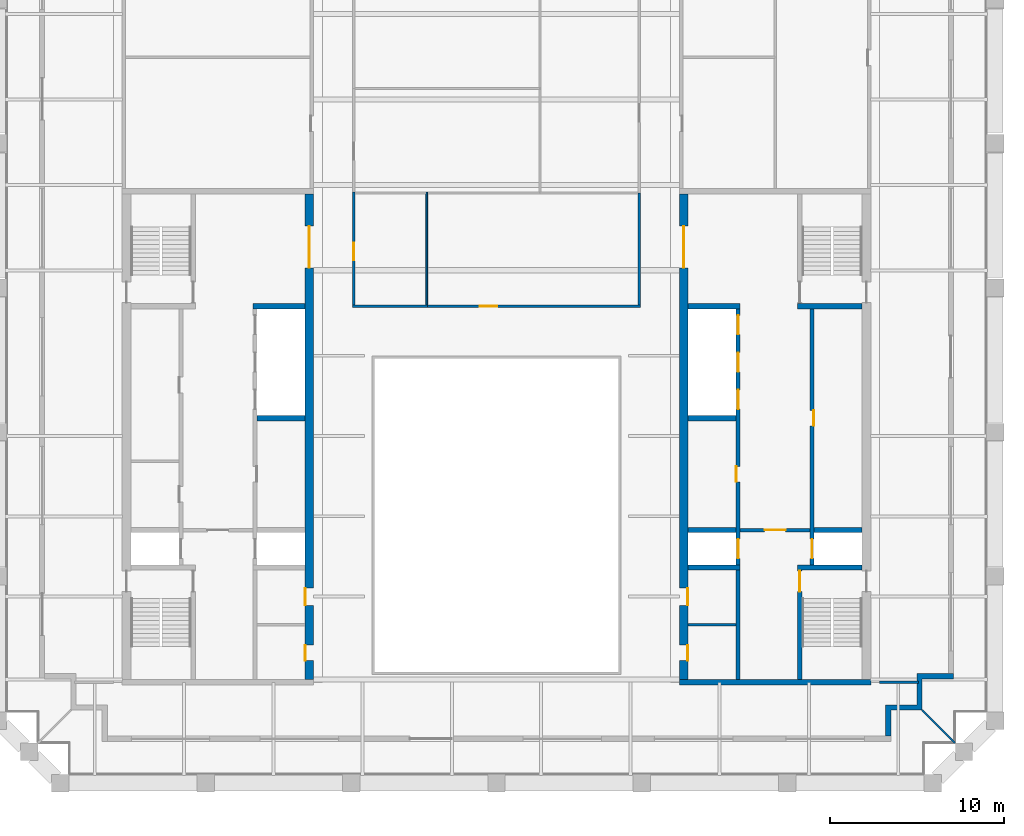
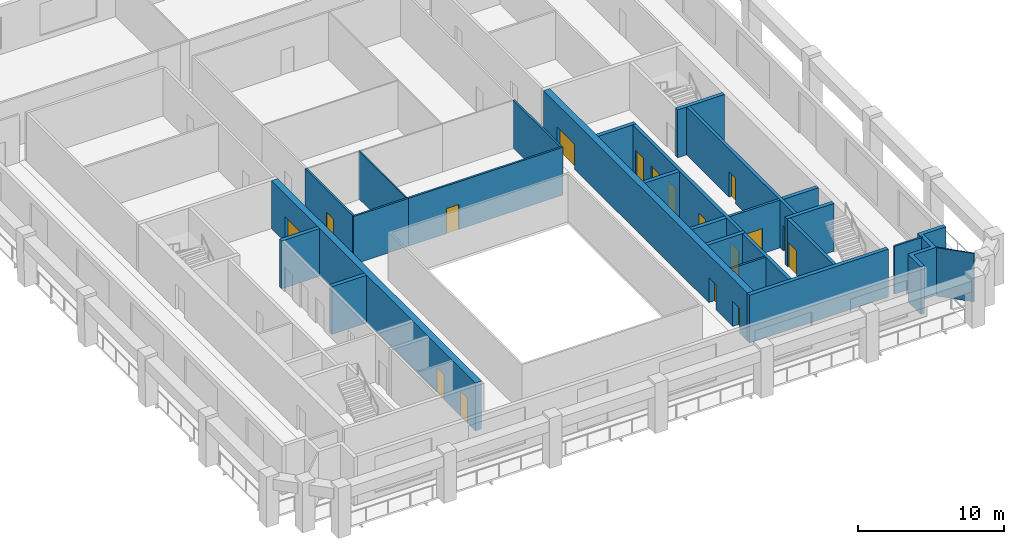
# One storey, part 4 of 8: 25 walls, 17 doors, 17 openings.
"""IFC4 building model written with IfcOpenShell, lengths in metres."""

from ifc_helpers import new_model, si_unit, direction, frame, frame_2d, origin, place, context, subcontext, project, spatial, polyline, rectangle, outline, extrude, material, layer, layer_set, type_object, element, fill, save


model = new_model("IFC4")

# Units and contexts
model_context = context("Model", 3, precision=1e-05, world=origin(), true_north=direction((0.0, 1.0)))
body_context = subcontext(model_context, "Body", "Model", "MODEL_VIEW")
ifc_project = project(units=[si_unit("LENGTHUNIT", "METRE"), si_unit("AREAUNIT", "SQUARE_METRE"), si_unit("VOLUMEUNIT", "CUBIC_METRE"), si_unit("PLANEANGLEUNIT", "RADIAN"), si_unit("MASSUNIT", "GRAM", prefix="KILO")], contexts=[model_context])

# Site, building, storey
site_placement = place(None, origin())
site = spatial("IfcSite", under=ifc_project, at=site_placement, CompositionType="ELEMENT")
building_placement = place(site_placement, origin())
building = spatial("IfcBuilding", under=site, at=building_placement, Name="Ogive Exchange Tower", CompositionType="ELEMENT")
storey_placement = place(building_placement, frame((0.0, 0.0, 317.39990234375)))
storey = spatial("IfcBuildingStorey", under=building, at=storey_placement, Name="L69", CompositionType="ELEMENT", Elevation=317.39990234375)

# Walls
ifc_material_1 = material(Name="Gypsum board partition")
ifc_layer_1 = layer(ifc_material_1, 0.14990234375)
ifc_layer_set_1 = layer_set([ifc_layer_1], Name="Core room partition 150 gypsum")
wall_type_1 = type_object("IfcWallType", Name="Core room partition 150 gypsum", PredefinedType="PARTITIONING", material=ifc_layer_set_1)
wall_1_placement = place(storey_placement, frame((11.0, 0.699951171875, 0.0), z_axis=(0.0, 0.0, 1.0), x_axis=(1.0, 0.0, 0.0)))
element("IfcWall", 1, at=wall_1_placement, inside=storey, type_object=wall_type_1, Name="E south room partition", PredefinedType="PARTITIONING", context=body_context, shape_type="SweptSolid", body=[
    extrude(rectangle(XDim=2.75, YDim=0.14990234375, at=frame_2d((1.375, 0.0))), origin(), (0.0, 0.0, 1.0), 4.0),
])
ifc_material_2 = material(Name="Fire partition EI 60 150")
ifc_layer_2 = layer(ifc_material_2, 0.14990234375)
ifc_layer_set_2 = layer_set([ifc_layer_2], Name="Fire partition EI 60 150")
wall_type_2 = type_object("IfcWallType", Name="Fire partition EI 60 150", PredefinedType="PARTITIONING", material=ifc_layer_set_2)
wall_2_placement = place(storey_placement, frame((-8.27490234375, 19.0, 0.0), z_axis=(0.0, 0.0, 1.0), x_axis=(1.0, 0.0, 0.0)))
element("IfcWall", 2, at=wall_2_placement, inside=storey, type_object=wall_type_2, Name="L69-PWL-005", PredefinedType="PARTITIONING", context=body_context, shape_type="SweptSolid", body=[
    extrude(rectangle(XDim=4.324951171875, YDim=0.14990234375, at=frame_2d((2.16259765625, 0.0))), origin(), (0.0, 0.0, 1.0), 4.0),
])

# Wall, opening, door
wall_3_placement = place(storey_placement, frame((-8.199951171875, 25.550048828125, 0.0), z_axis=(0.0, 0.0, 1.0), x_axis=(0.0, -1.0, 0.0)))
wall_3 = element("IfcWall", 3, at=wall_3_placement, inside=storey, type_object=wall_type_2, Name="L69-PWL-006", PredefinedType="PARTITIONING", context=body_context, shape_type="SweptSolid", body=[
    extrude(rectangle(XDim=6.47509765625, YDim=0.14990234375, at=frame_2d((3.237548828125, 0.0))), origin(), (0.0, 0.0, 1.0), 4.0),
])
opening_1_placement = place(wall_3_placement, frame((2.89990234375, 0.0, 0.0)))
opening_1 = element("IfcOpeningElement", 4, at=opening_1_placement, cuts=wall_3, Name="Opening L69-I09", PredefinedType="OPENING", context=body_context, shape_type="SweptSolid", body=[
    extrude(rectangle(XDim=1.0, YDim=2.10009765625, at=frame_2d((0.5, 1.050048828125))), frame((0.0, 0.0849609375, 0.0), z_axis=(0.0, -1.0, 0.0), x_axis=(1.0, 0.0, 0.0)), (0.0, 0.0, 1.0), 0.169921875),
])
ifc_material_3 = material(Name="Fire door FD 30S 1000 x 2100")
door_type_1 = type_object("IfcDoorType", Name="Fire door FD 30S 1000 x 2100", OperationType="NOTDEFINED", PredefinedType="DOOR", material=ifc_material_3)
door_1_placement = place(opening_1_placement, origin())
door_1 = element("IfcDoor", 5, at=door_1_placement, inside=storey, type_object=door_type_1, Name="L69-IDR-009", ObjectType="DT3", OperationType="SINGLE_SWING_LEFT", OverallHeight=2.10009765625, OverallWidth=1.0, PredefinedType="DOOR", context=body_context, shape_type="SweptSolid", body=[
    extrude(rectangle(XDim=1.0, YDim=2.10009765625, at=frame_2d((0.5, 1.050048828125))), frame((0.0, 0.02490234375, 0.0), z_axis=(0.0, -1.0, 0.0), x_axis=(1.0, 0.0, 0.0)), (0.0, 0.0, 1.0), 0.050048828125),
])
fill(opening_1, door_1)

wall_4_placement = place(storey_placement, frame((-4.0, 19.0, 0.0), z_axis=(0.0, 0.0, 1.0), x_axis=(1.0, 0.0, 0.0)))
wall_4 = element("IfcWall", 6, at=wall_4_placement, inside=storey, type_object=wall_type_2, Name="L69-PWL-014", PredefinedType="PARTITIONING", context=body_context, shape_type="SweptSolid", body=[
    extrude(rectangle(XDim=12.27490234375, YDim=0.14990234375, at=frame_2d((6.137451171875, 0.0))), origin(), (0.0, 0.0, 1.0), 4.0),
])
opening_2_placement = place(wall_4_placement, frame((3.050048828125, 0.0, 0.0)))
opening_2 = element("IfcOpeningElement", 7, at=opening_2_placement, cuts=wall_4, Name="Opening L69-I08", PredefinedType="OPENING", context=body_context, shape_type="SweptSolid", body=[
    extrude(rectangle(XDim=1.0, YDim=2.10009765625, at=frame_2d((0.5, 1.050048828125))), frame((0.0, 0.0849609375, 0.0), z_axis=(0.0, -1.0, 0.0), x_axis=(1.0, 0.0, 0.0)), (0.0, 0.0, 1.0), 0.169921875),
])
door_2_placement = place(opening_2_placement, origin())
door_2 = element("IfcDoor", 8, at=door_2_placement, inside=storey, type_object=door_type_1, Name="L69-IDR-008", ObjectType="DT3", OperationType="SINGLE_SWING_RIGHT", OverallHeight=2.10009765625, OverallWidth=1.0, PredefinedType="DOOR", context=body_context, shape_type="SweptSolid", body=[
    extrude(rectangle(XDim=1.0, YDim=2.10009765625, at=frame_2d((0.5, 1.050048828125))), frame((0.0, 0.02490234375, 0.0), z_axis=(0.0, -1.0, 0.0), x_axis=(1.0, 0.0, 0.0)), (0.0, 0.0, 1.0), 0.050048828125),
])
fill(opening_2, door_2)

# Walls
wall_5_placement = place(storey_placement, frame((8.199951171875, 19.074951171875, 0.0), z_axis=(0.0, 0.0, 1.0), x_axis=(0.0, 1.0, 0.0)))
element("IfcWall", 9, at=wall_5_placement, inside=storey, type_object=wall_type_2, Name="L69-PWL-022", PredefinedType="PARTITIONING", context=body_context, shape_type="SweptSolid", body=[
    extrude(rectangle(XDim=6.425048828125, YDim=0.14990234375, at=frame_2d((3.21240234375, 0.0))), origin(), (0.0, 0.0, 1.0), 4.0),
])
wall_6_placement = place(storey_placement, frame((22.0, -2.60009765625, 0.0), z_axis=(0.0, 0.0, 1.0), x_axis=(1.0, 0.0, 0.0)))
element("IfcWall", 10, at=wall_6_placement, inside=storey, type_object=wall_type_2, Name="L69-PWL-026", PredefinedType="PARTITIONING", context=body_context, shape_type="SweptSolid", body=[
    extrude(rectangle(XDim=2.25, YDim=0.14990234375, at=frame_2d((1.125, 0.0))), origin(), (0.0, 0.0, 1.0), 4.0),
])
ifc_material_4 = material(Name="Precast concrete C40/50", Category="concrete")
ifc_layer_3 = layer(ifc_material_4, 0.300048828125)
ifc_layer_set_3 = layer_set([ifc_layer_3], Name="Limestone-faced wall 300")
wall_type_3 = type_object("IfcWallType", Name="Limestone-faced wall 300", PredefinedType="STANDARD", material=ifc_layer_set_3)
wall_7_placement = place(storey_placement, origin())
element("IfcWall", 11, at=wall_7_placement, inside=storey, type_object=wall_type_3, Name="External corner wall C1", PredefinedType="STANDARD", context=body_context, shape_type="SweptSolid", body=[
    extrude(outline(polyline([(24.14990234375, -3.89990234375), (24.14990234375, -2.10009765625), (26.25, -2.10009765625), (26.25, -2.39990234375), (24.449951171875, -2.39990234375), (24.449951171875, -4.199951171875), (22.64990234375, -4.199951171875), (22.64990234375, -5.699951171875), (22.35009765625, -5.699951171875), (22.35009765625, -3.89990234375), (24.14990234375, -3.89990234375)])), origin(), (0.0, 0.0, 1.0), 4.0),
])
ifc_material_5 = material(Name="Laminated safety glass in steel frame", Category="steel")
ifc_layer_4 = layer(ifc_material_5, 0.10009765625)
ifc_layer_set_4 = layer_set([ifc_layer_4], Name="Loggia end screen 100")
wall_type_4 = type_object("IfcWallType", Name="Loggia end screen 100", PredefinedType="STANDARD", material=ifc_layer_set_4)
wall_8_placement = place(storey_placement, frame((24.449951171875, -4.199951171875, -0.0498046875), z_axis=(0.0, 0.0, 1.0), x_axis=(0.707106781187, -0.707106781187, 0.0)))
element("IfcWall", 12, at=wall_8_placement, inside=storey, type_object=wall_type_4, Name="Loggia end screen C1", PredefinedType="STANDARD", context=body_context, shape_type="SweptSolid", body=[
    extrude(rectangle(XDim=2.667236328125, YDim=0.10009765625, at=frame_2d((1.33349609375, 0.0))), origin(), (0.0, 0.0, 1.0), 4.0498046875),
])
ifc_material_6 = material(Name="Partition 100 gypsum")
ifc_layer_5 = layer(ifc_material_6, 0.10009765625)
ifc_layer_set_5 = layer_set([ifc_layer_5], Name="Partition 100 gypsum")
wall_type_5 = type_object("IfcWallType", Name="Partition 100 gypsum", PredefinedType="PARTITIONING", material=ifc_layer_set_5)
wall_9_placement = place(storey_placement, frame((-4.0, 19.074951171875, 0.0), z_axis=(0.0, 0.0, 1.0), x_axis=(0.0, 1.0, 0.0)))
element("IfcWall", 13, at=wall_9_placement, inside=storey, type_object=wall_type_5, Name="L69-PWL-013", PredefinedType="PARTITIONING", context=body_context, shape_type="SweptSolid", body=[
    extrude(rectangle(XDim=6.47509765625, YDim=0.10009765625, at=frame_2d((3.237548828125, 0.0))), origin(), (0.0, 0.0, 1.0), 4.0),
])

# Wall, opening, door
ifc_material_7 = material(Name="Concrete C70/85", Category="concrete")
ifc_layer_6 = layer(ifc_material_7, 0.199951171875)
ifc_layer_set_6 = layer_set([ifc_layer_6], Name="RC core wall 200 C70/85")
wall_type_6 = type_object("IfcWallType", Name="RC core wall 200 C70/85", PredefinedType="SHEAR", material=ifc_layer_set_6)
wall_10_placement = place(storey_placement, frame((14.0, 6.142822265625, 0.0), z_axis=(0.0, 0.0, 1.0), x_axis=(1.0, 0.0, 0.0)))
wall_10 = element("IfcWall", 14, at=wall_10_placement, inside=storey, type_object=wall_type_6, Name="E firefighting lobby wall", PredefinedType="SHEAR", context=body_context, shape_type="SweptSolid", body=[
    extrude(rectangle(XDim=4.0, YDim=0.199951171875, at=frame_2d((2.0, 0.0))), origin(), (0.0, 0.0, 1.0), 4.0),
])
opening_3_placement = place(wall_10_placement, frame((1.39990234375, 0.0, 0.0)))
opening_3 = element("IfcOpeningElement", 15, at=opening_3_placement, cuts=wall_10, Name="Opening L69-C26", PredefinedType="OPENING", context=body_context, shape_type="SweptSolid", body=[
    extrude(rectangle(XDim=1.199951171875, YDim=2.10009765625, at=frame_2d((0.60009765625, 1.050048828125))), frame((0.0, 0.10986328125, 0.0), z_axis=(0.0, -1.0, 0.0), x_axis=(1.0, 0.0, 0.0)), (0.0, 0.0, 1.0), 0.219970703125),
])
ifc_material_8 = material(Name="Steel fire door", Category="steel")
door_type_2 = type_object("IfcDoorType", Name="Firefighting lobby door FD60 1200 x 2100", OperationType="NOTDEFINED", PredefinedType="DOOR", material=ifc_material_8)
door_3_placement = place(opening_3_placement, frame((1.199951171875, 0.0, 0.0), z_axis=(0.0, 0.0, 1.0), x_axis=(-1.0, 0.0, 0.0)))
door_3 = element("IfcDoor", 16, at=door_3_placement, inside=storey, type_object=door_type_2, Name="Firefighting lobby door", ObjectType="CD3", OperationType="SINGLE_SWING_LEFT", OverallHeight=2.10009765625, OverallWidth=1.199951171875, PredefinedType="DOOR", context=body_context, shape_type="SweptSolid", body=[
    extrude(rectangle(XDim=1.199951171875, YDim=2.10009765625, at=frame_2d((0.60009765625, 1.050048828125))), frame((0.0, 0.02490234375, 0.0), z_axis=(0.0, -1.0, 0.0), x_axis=(1.0, 0.0, 0.0)), (0.0, 0.0, 1.0), 0.050048828125),
])
fill(opening_3, door_3)

ifc_layer_7 = layer(ifc_material_7, 0.25)
ifc_layer_set_7 = layer_set([ifc_layer_7], Name="RC core wall 250 C70/85")
wall_type_7 = type_object("IfcWallType", Name="RC core wall 250 C70/85", PredefinedType="SHEAR", material=ifc_layer_set_7)
wall_11_placement = place(storey_placement, frame((17.425048828125, -2.449951171875, 0.0), z_axis=(0.0, 0.0, 1.0), x_axis=(0.0, 1.0, 0.0)))
wall_11 = element("IfcWall", 17, at=wall_11_placement, inside=storey, type_object=wall_type_7, Name="E stair S front wall", PredefinedType="SHEAR", context=body_context, shape_type="SweptSolid", body=[
    extrude(rectangle(XDim=6.300048828125, YDim=0.25, at=frame_2d((3.14990234375, 0.0))), origin(), (0.0, 0.0, 1.0), 4.0),
])
opening_4_placement = place(wall_11_placement, frame((5.050048828125, 0.0, 0.0)))
opening_4 = element("IfcOpeningElement", 18, at=opening_4_placement, cuts=wall_11, Name="Opening L69-C28", PredefinedType="OPENING", context=body_context, shape_type="SweptSolid", body=[
    extrude(rectangle(XDim=1.199951171875, YDim=2.10009765625, at=frame_2d((0.60009765625, 1.050048828125))), frame((0.0, 0.135009765625, 0.0), z_axis=(0.0, -1.0, 0.0), x_axis=(1.0, 0.0, 0.0)), (0.0, 0.0, 1.0), 0.27001953125),
])
door_type_3 = type_object("IfcDoorType", Name="Stair door FD90 1200 x 2100", OperationType="NOTDEFINED", PredefinedType="DOOR", material=ifc_material_8)
door_4_placement = place(opening_4_placement, frame((1.199951171875, 0.0, 0.0), z_axis=(0.0, 0.0, 1.0), x_axis=(-1.0, 0.0, 0.0)))
door_4 = element("IfcDoor", 19, at=door_4_placement, inside=storey, type_object=door_type_3, Name="Stair door", ObjectType="CD5", OperationType="SINGLE_SWING_RIGHT", OverallHeight=2.10009765625, OverallWidth=1.199951171875, PredefinedType="DOOR", context=body_context, shape_type="SweptSolid", body=[
    extrude(rectangle(XDim=1.199951171875, YDim=2.10009765625, at=frame_2d((0.60009765625, 1.050048828125))), frame((0.0, 0.02490234375, 0.0), z_axis=(0.0, -1.0, 0.0), x_axis=(1.0, 0.0, 0.0)), (0.0, 0.0, 1.0), 0.050048828125),
])
fill(opening_4, door_4)

# Wall, openings, doors
wall_12_placement = place(storey_placement, frame((18.125, 4.14990234375, 0.0), z_axis=(0.0, 0.0, 1.0), x_axis=(0.0, 1.0, 0.0)))
wall_12 = element("IfcWall", 20, at=wall_12_placement, inside=storey, type_object=wall_type_7, Name="E row A front wall", PredefinedType="SHEAR", context=body_context, shape_type="SweptSolid", body=[
    extrude(rectangle(XDim=14.7001953125, YDim=0.25, at=frame_2d((7.35009765625, 0.0))), origin(), (0.0, 0.0, 1.0), 4.0),
])
opening_5_placement = place(wall_12_placement, frame((7.971435546875, 0.0, 0.0)))
opening_5 = element("IfcOpeningElement", 21, at=opening_5_placement, cuts=wall_12, Name="Opening L69-C19", PredefinedType="OPENING", context=body_context, shape_type="SweptSolid", body=[
    extrude(rectangle(XDim=0.89990234375, YDim=2.10009765625, at=frame_2d((0.449951171875, 1.050048828125))), frame((0.0, 0.135009765625, 0.0), z_axis=(0.0, -1.0, 0.0), x_axis=(1.0, 0.0, 0.0)), (0.0, 0.0, 1.0), 0.27001953125),
])
opening_6_placement = place(wall_12_placement, frame((0.371337890625, 0.0, 0.0)))
opening_6 = element("IfcOpeningElement", 22, at=opening_6_placement, cuts=wall_12, Name="Opening L69-C20", PredefinedType="OPENING", context=body_context, shape_type="SweptSolid", body=[
    extrude(rectangle(XDim=1.10009765625, YDim=2.10009765625, at=frame_2d((0.550048828125, 1.050048828125))), frame((0.0, 0.135009765625, 0.0), z_axis=(0.0, -1.0, 0.0), x_axis=(1.0, 0.0, 0.0)), (0.0, 0.0, 1.0), 0.27001953125),
])
ifc_material_9 = material(Name="Timber fire door", Category="wood")
door_type_4 = type_object("IfcDoorType", Name="Core room door FD30S 900 x 2100", OperationType="NOTDEFINED", PredefinedType="DOOR", material=ifc_material_9)
door_5_placement = place(opening_5_placement, frame((0.89990234375, -0.2001953125, 0.0), z_axis=(0.0, 0.0, 1.0), x_axis=(-1.0, 0.0, 0.0)))
door_5 = element("IfcDoor", 23, at=door_5_placement, inside=storey, type_object=door_type_4, Name="Core room door", ObjectType="CD6", OperationType="SINGLE_SWING_LEFT", OverallHeight=2.10009765625, OverallWidth=0.89990234375, PredefinedType="DOOR", context=body_context, shape_type="SweptSolid", body=[
    extrude(rectangle(XDim=0.89990234375, YDim=2.10009765625, at=frame_2d((0.449951171875, 1.050048828125))), frame((0.0, -0.0751953125, 0.0), z_axis=(0.0, -1.0, 0.0), x_axis=(1.0, 0.0, 0.0)), (0.0, 0.0, 1.0), 0.050048828125),
])
fill(opening_5, door_5)
ifc_material_10 = material(Name="Stainless steel", Category="steel")
door_type_5 = type_object("IfcDoorType", Name="Lift landing door FD90 1100 x 2100", OperationType="SLIDING_TO_LEFT", PredefinedType="DOOR", material=ifc_material_10)
door_6_placement = place(opening_6_placement, origin())
door_6 = element("IfcDoor", 24, at=door_6_placement, inside=storey, type_object=door_type_5, Name="Lift landing door FF2", ObjectType="LD", OperationType="SLIDING_TO_LEFT", OverallHeight=2.10009765625, OverallWidth=1.10009765625, PredefinedType="DOOR", context=body_context, shape_type="SweptSolid", body=[
    extrude(rectangle(XDim=1.10009765625, YDim=2.10009765625, at=frame_2d((0.550048828125, 1.050048828125))), frame((0.0, 0.02490234375, 0.0), z_axis=(0.0, -1.0, 0.0), x_axis=(1.0, 0.0, 0.0)), (0.0, 0.0, 1.0), 0.050048828125),
])
fill(opening_6, door_6)

wall_13_placement = place(storey_placement, frame((13.875, -2.449951171875, 0.0), z_axis=(0.0, 0.0, 1.0), x_axis=(0.0, 1.0, 0.0)))
wall_13 = element("IfcWall", 25, at=wall_13_placement, inside=storey, type_object=wall_type_7, Name="E row B front wall", PredefinedType="SHEAR", context=body_context, shape_type="SweptSolid", body=[
    extrude(rectangle(XDim=21.300048828125, YDim=0.25, at=frame_2d((10.64990234375, 0.0))), origin(), (0.0, 0.0, 1.0), 4.0),
])
opening_7_placement = place(wall_13_placement, frame((11.357177734375, 0.0, 0.0)))
opening_7 = element("IfcOpeningElement", 26, at=opening_7_placement, cuts=wall_13, Name="Opening L69-C21", PredefinedType="OPENING", context=body_context, shape_type="SweptSolid", body=[
    extrude(rectangle(XDim=0.89990234375, YDim=2.10009765625, at=frame_2d((0.449951171875, 1.050048828125))), frame((0.0, 0.135009765625, 0.0), z_axis=(0.0, -1.0, 0.0), x_axis=(1.0, 0.0, 0.0)), (0.0, 0.0, 1.0), 0.27001953125),
])
opening_8_placement = place(wall_13_placement, frame((6.971435546875, 0.0, 0.0)))
opening_8 = element("IfcOpeningElement", 27, at=opening_8_placement, cuts=wall_13, Name="Opening L69-C22", PredefinedType="OPENING", context=body_context, shape_type="SweptSolid", body=[
    extrude(rectangle(XDim=1.10009765625, YDim=2.10009765625, at=frame_2d((0.550048828125, 1.050048828125))), frame((0.0, 0.135009765625, 0.0), z_axis=(0.0, -1.0, 0.0), x_axis=(1.0, 0.0, 0.0)), (0.0, 0.0, 1.0), 0.27001953125),
])
opening_9_placement = place(wall_13_placement, frame((15.54296875, 0.0, 0.0)))
opening_9 = element("IfcOpeningElement", 28, at=opening_9_placement, cuts=wall_13, Name="Opening L69-C23", PredefinedType="OPENING", context=body_context, shape_type="SweptSolid", body=[
    extrude(rectangle(XDim=1.10009765625, YDim=2.10009765625, at=frame_2d((0.550048828125, 1.050048828125))), frame((0.0, 0.135009765625, 0.0), z_axis=(0.0, -1.0, 0.0), x_axis=(1.0, 0.0, 0.0)), (0.0, 0.0, 1.0), 0.27001953125),
])
opening_10_placement = place(wall_13_placement, frame((17.685791015625, 0.0, 0.0)))
opening_10 = element("IfcOpeningElement", 29, at=opening_10_placement, cuts=wall_13, Name="Opening L69-C24", PredefinedType="OPENING", context=body_context, shape_type="SweptSolid", body=[
    extrude(rectangle(XDim=1.10009765625, YDim=2.10009765625, at=frame_2d((0.550048828125, 1.050048828125))), frame((0.0, 0.135009765625, 0.0), z_axis=(0.0, -1.0, 0.0), x_axis=(1.0, 0.0, 0.0)), (0.0, 0.0, 1.0), 0.27001953125),
])
opening_11_placement = place(wall_13_placement, frame((19.82861328125, 0.0, 0.0)))
opening_11 = element("IfcOpeningElement", 30, at=opening_11_placement, cuts=wall_13, Name="Opening L69-C25", PredefinedType="OPENING", context=body_context, shape_type="SweptSolid", body=[
    extrude(rectangle(XDim=1.10009765625, YDim=2.10009765625, at=frame_2d((0.550048828125, 1.050048828125))), frame((0.0, 0.135009765625, 0.0), z_axis=(0.0, -1.0, 0.0), x_axis=(1.0, 0.0, 0.0)), (0.0, 0.0, 1.0), 0.27001953125),
])
door_7_placement = place(opening_8_placement, origin())
door_7 = element("IfcDoor", 31, at=door_7_placement, inside=storey, type_object=door_type_5, Name="Lift landing door SV2", ObjectType="LD", OperationType="SLIDING_TO_LEFT", OverallHeight=2.10009765625, OverallWidth=1.10009765625, PredefinedType="DOOR", context=body_context, shape_type="SweptSolid", body=[
    extrude(rectangle(XDim=1.10009765625, YDim=2.10009765625, at=frame_2d((0.550048828125, 1.050048828125))), frame((0.0, 0.02490234375, 0.0), z_axis=(0.0, -1.0, 0.0), x_axis=(1.0, 0.0, 0.0)), (0.0, 0.0, 1.0), 0.050048828125),
])
fill(opening_8, door_7)
door_8_placement = place(opening_9_placement, origin())
door_8 = element("IfcDoor", 32, at=door_8_placement, inside=storey, type_object=door_type_5, Name="Lift landing door E-H1", ObjectType="LD", OperationType="SLIDING_TO_LEFT", OverallHeight=2.10009765625, OverallWidth=1.10009765625, PredefinedType="DOOR", context=body_context, shape_type="SweptSolid", body=[
    extrude(rectangle(XDim=1.10009765625, YDim=2.10009765625, at=frame_2d((0.550048828125, 1.050048828125))), frame((0.0, 0.02490234375, 0.0), z_axis=(0.0, -1.0, 0.0), x_axis=(1.0, 0.0, 0.0)), (0.0, 0.0, 1.0), 0.050048828125),
])
fill(opening_9, door_8)
door_9_placement = place(opening_10_placement, origin())
door_9 = element("IfcDoor", 33, at=door_9_placement, inside=storey, type_object=door_type_5, Name="Lift landing door E-H2", ObjectType="LD", OperationType="SLIDING_TO_LEFT", OverallHeight=2.10009765625, OverallWidth=1.10009765625, PredefinedType="DOOR", context=body_context, shape_type="SweptSolid", body=[
    extrude(rectangle(XDim=1.10009765625, YDim=2.10009765625, at=frame_2d((0.550048828125, 1.050048828125))), frame((0.0, 0.02490234375, 0.0), z_axis=(0.0, -1.0, 0.0), x_axis=(1.0, 0.0, 0.0)), (0.0, 0.0, 1.0), 0.050048828125),
])
fill(opening_10, door_9)
door_10_placement = place(opening_11_placement, origin())
door_10 = element("IfcDoor", 34, at=door_10_placement, inside=storey, type_object=door_type_5, Name="Lift landing door E-H3", ObjectType="LD", OperationType="SLIDING_TO_LEFT", OverallHeight=2.10009765625, OverallWidth=1.10009765625, PredefinedType="DOOR", context=body_context, shape_type="SweptSolid", body=[
    extrude(rectangle(XDim=1.10009765625, YDim=2.10009765625, at=frame_2d((0.550048828125, 1.050048828125))), frame((0.0, 0.02490234375, 0.0), z_axis=(0.0, -1.0, 0.0), x_axis=(1.0, 0.0, 0.0)), (0.0, 0.0, 1.0), 0.050048828125),
])
fill(opening_11, door_10)
door_type_6 = type_object("IfcDoorType", Name="Riser door FD60 900 x 2100", OperationType="NOTDEFINED", PredefinedType="DOOR", material=ifc_material_8)
door_11_placement = place(opening_7_placement, origin())
door_11 = element("IfcDoor", 35, at=door_11_placement, inside=storey, type_object=door_type_6, Name="Riser door", ObjectType="CD2", OperationType="SINGLE_SWING_LEFT", OverallHeight=2.10009765625, OverallWidth=0.89990234375, PredefinedType="DOOR", context=body_context, shape_type="SweptSolid", body=[
    extrude(rectangle(XDim=0.89990234375, YDim=2.10009765625, at=frame_2d((0.449951171875, 1.050048828125))), frame((0.0, 0.125, 0.0), z_axis=(0.0, -1.0, 0.0), x_axis=(1.0, 0.0, 0.0)), (0.0, 0.0, 1.0), 0.050048828125),
])
fill(opening_7, door_11)

# Walls
ifc_layer_8 = layer(ifc_material_7, 0.300048828125)
ifc_layer_set_8 = layer_set([ifc_layer_8], Name="RC core wall 300 C70/85")
wall_type_8 = type_object("IfcWallType", Name="RC core wall 300 C70/85", PredefinedType="SHEAR", material=ifc_layer_set_8)
wall_14_placement = place(storey_placement, frame((-13.75, 12.5712890625, 0.0), z_axis=(0.0, 0.0, 1.0), x_axis=(1.0, 0.0, 0.0)))
element("IfcWall", 36, at=wall_14_placement, inside=storey, type_object=wall_type_8, Name="W row B divider 4", PredefinedType="SHEAR", context=body_context, shape_type="SweptSolid", body=[
    extrude(rectangle(XDim=2.75, YDim=0.300048828125, at=frame_2d((1.375, 0.0))), origin(), (0.0, 0.0, 1.0), 4.0),
])
wall_15_placement = place(storey_placement, frame((-14.0, 19.0, 0.0), z_axis=(0.0, 0.0, 1.0), x_axis=(1.0, 0.0, 0.0)))
element("IfcWall", 37, at=wall_15_placement, inside=storey, type_object=wall_type_8, Name="W row B divider 7", PredefinedType="SHEAR", context=body_context, shape_type="SweptSolid", body=[
    extrude(rectangle(XDim=3.0, YDim=0.300048828125, at=frame_2d((1.5, 0.0))), origin(), (0.0, 0.0, 1.0), 4.0),
])
wall_16_placement = place(storey_placement, frame((10.5, -2.60009765625, 0.0), z_axis=(0.0, 0.0, 1.0), x_axis=(1.0, 0.0, 0.0)))
element("IfcWall", 38, at=wall_16_placement, inside=storey, type_object=wall_type_8, Name="E south end wall", PredefinedType="SHEAR", context=body_context, shape_type="SweptSolid", body=[
    extrude(rectangle(XDim=11.0, YDim=0.300048828125, at=frame_2d((5.5, 0.0))), origin(), (0.0, 0.0, 1.0), 4.0),
])
for number, where, z_axis, x_axis, name in (
    (39, (17.300048828125, 4.0, 0.0), (0.0, 0.0, 1.0), (1.0, 0.0, 0.0), "E stair S north wall"),
    (40, (17.300048828125, 19.0, 0.0), (0.0, 0.0, 1.0), (1.0, 0.0, 0.0), "E stair N south wall"),
):
    element("IfcWall", number, at=place(storey_placement, frame(where, z_axis=z_axis, x_axis=x_axis)), inside=storey, type_object=wall_type_8, Name=name, PredefinedType="SHEAR", context=body_context, shape_type="SweptSolid", body=[
        extrude(rectangle(XDim=3.699951171875, YDim=0.300048828125, at=frame_2d((1.85009765625, 0.0))), origin(), (0.0, 0.0, 1.0), 4.0),
    ])
wall_17_placement = place(storey_placement, frame((18.25, 6.142822265625, 0.0), z_axis=(0.0, 0.0, 1.0), x_axis=(1.0, 0.0, 0.0)))
element("IfcWall", 41, at=wall_17_placement, inside=storey, type_object=wall_type_8, Name="E row A divider 1", PredefinedType="SHEAR", context=body_context, shape_type="SweptSolid", body=[
    extrude(rectangle(XDim=2.75, YDim=0.300048828125, at=frame_2d((1.375, 0.0))), origin(), (0.0, 0.0, 1.0), 4.0),
])
wall_18_placement = place(storey_placement, frame((11.0, 4.0, 0.0), z_axis=(0.0, 0.0, 1.0), x_axis=(1.0, 0.0, 0.0)))
element("IfcWall", 42, at=wall_18_placement, inside=storey, type_object=wall_type_8, Name="E row B divider 0", PredefinedType="SHEAR", context=body_context, shape_type="SweptSolid", body=[
    extrude(rectangle(XDim=3.0, YDim=0.300048828125, at=frame_2d((1.5, 0.0))), origin(), (0.0, 0.0, 1.0), 4.0),
])
for number, where, z_axis, x_axis, name in (
    (43, (11.0, 6.142822265625, 0.0), (0.0, 0.0, 1.0), (1.0, 0.0, 0.0), "E row B divider 1"),
    (44, (11.0, 12.5712890625, 0.0), (0.0, 0.0, 1.0), (1.0, 0.0, 0.0), "E row B divider 4"),
):
    element("IfcWall", number, at=place(storey_placement, frame(where, z_axis=z_axis, x_axis=x_axis)), inside=storey, type_object=wall_type_8, Name=name, PredefinedType="SHEAR", context=body_context, shape_type="SweptSolid", body=[
        extrude(rectangle(XDim=2.75, YDim=0.300048828125, at=frame_2d((1.375, 0.0))), origin(), (0.0, 0.0, 1.0), 4.0),
    ])
wall_19_placement = place(storey_placement, frame((11.0, 19.0, 0.0), z_axis=(0.0, 0.0, 1.0), x_axis=(1.0, 0.0, 0.0)))
element("IfcWall", 45, at=wall_19_placement, inside=storey, type_object=wall_type_8, Name="E row B divider 7", PredefinedType="SHEAR", context=body_context, shape_type="SweptSolid", body=[
    extrude(rectangle(XDim=3.0, YDim=0.300048828125, at=frame_2d((1.5, 0.0))), origin(), (0.0, 0.0, 1.0), 4.0),
])

# Wall, openings, doors
ifc_layer_9 = layer(ifc_material_7, 0.5)
ifc_layer_set_9 = layer_set([ifc_layer_9], Name="RC core wall 500 C70/85")
wall_type_9 = type_object("IfcWallType", Name="RC core wall 500 C70/85", PredefinedType="SHEAR", material=ifc_layer_set_9)
wall_20_placement = place(storey_placement, frame((-10.75, -2.449951171875, 0.0), z_axis=(0.0, 0.0, 1.0), x_axis=(0.0, 1.0, 0.0)))
wall_20 = element("IfcWall", 46, at=wall_20_placement, inside=storey, type_object=wall_type_9, Name="W inner wall", PredefinedType="SHEAR", context=body_context, shape_type="SweptSolid", body=[
    extrude(rectangle(XDim=27.89990234375, YDim=0.5, at=frame_2d((13.949951171875, 0.0))), origin(), (0.0, 0.0, 1.0), 4.0),
])
opening_12_placement = place(wall_20_placement, frame((23.64990234375, 0.0, 0.0)))
opening_12 = element("IfcOpeningElement", 47, at=opening_12_placement, cuts=wall_20, Name="Opening L69-C10", PredefinedType="OPENING", context=body_context, shape_type="SweptSolid", body=[
    extrude(rectangle(XDim=2.39990234375, YDim=2.10009765625, at=frame_2d((1.199951171875, 1.050048828125))), frame((0.0, 0.260009765625, 0.0), z_axis=(0.0, -1.0, 0.0), x_axis=(1.0, 0.0, 0.0)), (0.0, 0.0, 1.0), 0.52001953125),
])
opening_13_placement = place(wall_20_placement, frame((1.08740234375, 0.0, 0.0)))
opening_13 = element("IfcOpeningElement", 48, at=opening_13_placement, cuts=wall_20, Name="Opening L69-C15", PredefinedType="OPENING", context=body_context, shape_type="SweptSolid", body=[
    extrude(rectangle(XDim=0.89990234375, YDim=2.10009765625, at=frame_2d((0.449951171875, 1.050048828125))), frame((0.0, 0.260009765625, 0.0), z_axis=(0.0, -1.0, 0.0), x_axis=(1.0, 0.0, 0.0)), (0.0, 0.0, 1.0), 0.52001953125),
])
opening_14_placement = place(wall_20_placement, frame((4.262451171875, 0.0, 0.0)))
opening_14 = element("IfcOpeningElement", 49, at=opening_14_placement, cuts=wall_20, Name="Opening L69-C16", PredefinedType="OPENING", context=body_context, shape_type="SweptSolid", body=[
    extrude(rectangle(XDim=1.0, YDim=2.10009765625, at=frame_2d((0.5, 1.050048828125))), frame((0.0, 0.260009765625, 0.0), z_axis=(0.0, -1.0, 0.0), x_axis=(1.0, 0.0, 0.0)), (0.0, 0.0, 1.0), 0.52001953125),
])
door_type_7 = type_object("IfcDoorType", Name="Accessible WC door FD30S 1000 x 2100", OperationType="NOTDEFINED", PredefinedType="DOOR", material=ifc_material_9)
door_12_placement = place(opening_14_placement, frame((1.0, 0.4501953125, 0.0), z_axis=(0.0, 0.0, 1.0), x_axis=(-1.0, 0.0, 0.0)))
door_12 = element("IfcDoor", 50, at=door_12_placement, inside=storey, type_object=door_type_7, Name="Accessible WC door", ObjectType="CD7", OperationType="SINGLE_SWING_RIGHT", OverallHeight=2.10009765625, OverallWidth=1.0, PredefinedType="DOOR", context=body_context, shape_type="SweptSolid", body=[
    extrude(rectangle(XDim=1.0, YDim=2.10009765625, at=frame_2d((0.5, 1.050048828125))), frame((0.0, 0.25, 0.0), z_axis=(0.0, -1.0, 0.0), x_axis=(1.0, 0.0, 0.0)), (0.0, 0.0, 1.0), 0.050048828125),
])
fill(opening_14, door_12)
door_13_placement = place(opening_13_placement, frame((0.89990234375, 0.4501953125, 0.0), z_axis=(0.0, 0.0, 1.0), x_axis=(-1.0, 0.0, 0.0)))
door_13 = element("IfcDoor", 51, at=door_13_placement, inside=storey, type_object=door_type_4, Name="Core room door", ObjectType="CD6", OperationType="SINGLE_SWING_RIGHT", OverallHeight=2.10009765625, OverallWidth=0.89990234375, PredefinedType="DOOR", context=body_context, shape_type="SweptSolid", body=[
    extrude(rectangle(XDim=0.89990234375, YDim=2.10009765625, at=frame_2d((0.449951171875, 1.050048828125))), frame((0.0, 0.25, 0.0), z_axis=(0.0, -1.0, 0.0), x_axis=(1.0, 0.0, 0.0)), (0.0, 0.0, 1.0), 0.050048828125),
])
fill(opening_13, door_13)
ifc_material_11 = material(Name="Glazed steel fire door", Category="steel")
door_type_8 = type_object("IfcDoorType", Name="Lift lobby double door FD60 2400 x 2100", OperationType="DOUBLE_DOOR_SINGLE_SWING", PredefinedType="DOOR", material=ifc_material_11)
door_14_placement = place(opening_12_placement, frame((2.39990234375, 0.0, 0.0), z_axis=(0.0, 0.0, 1.0), x_axis=(-1.0, 0.0, 0.0)))
door_14 = element("IfcDoor", 52, at=door_14_placement, inside=storey, type_object=door_type_8, Name="Lift lobby double door", ObjectType="CD4", OperationType="DOUBLE_DOOR_SINGLE_SWING", OverallHeight=2.10009765625, OverallWidth=2.39990234375, PredefinedType="DOOR", context=body_context, shape_type="SweptSolid", body=[
    extrude(rectangle(XDim=2.39990234375, YDim=2.10009765625, at=frame_2d((1.199951171875, 1.050048828125))), frame((0.0, 0.02490234375, 0.0), z_axis=(0.0, -1.0, 0.0), x_axis=(1.0, 0.0, 0.0)), (0.0, 0.0, 1.0), 0.050048828125),
])
fill(opening_12, door_14)

wall_21_placement = place(storey_placement, frame((10.75, -2.449951171875, 0.0), z_axis=(0.0, 0.0, 1.0), x_axis=(0.0, 1.0, 0.0)))
wall_21 = element("IfcWall", 53, at=wall_21_placement, inside=storey, type_object=wall_type_9, Name="E inner wall", PredefinedType="SHEAR", context=body_context, shape_type="SweptSolid", body=[
    extrude(rectangle(XDim=27.89990234375, YDim=0.5, at=frame_2d((13.949951171875, 0.0))), origin(), (0.0, 0.0, 1.0), 4.0),
])
opening_15_placement = place(wall_21_placement, frame((23.64990234375, 0.0, 0.0)))
opening_15 = element("IfcOpeningElement", 54, at=opening_15_placement, cuts=wall_21, Name="Opening L69-C27", PredefinedType="OPENING", context=body_context, shape_type="SweptSolid", body=[
    extrude(rectangle(XDim=2.39990234375, YDim=2.10009765625, at=frame_2d((1.199951171875, 1.050048828125))), frame((0.0, 0.260009765625, 0.0), z_axis=(0.0, -1.0, 0.0), x_axis=(1.0, 0.0, 0.0)), (0.0, 0.0, 1.0), 0.52001953125),
])
opening_16_placement = place(wall_21_placement, frame((1.08740234375, 0.0, 0.0)))
opening_16 = element("IfcOpeningElement", 55, at=opening_16_placement, cuts=wall_21, Name="Opening L69-C32", PredefinedType="OPENING", context=body_context, shape_type="SweptSolid", body=[
    extrude(rectangle(XDim=0.89990234375, YDim=2.10009765625, at=frame_2d((0.449951171875, 1.050048828125))), frame((0.0, 0.260009765625, 0.0), z_axis=(0.0, -1.0, 0.0), x_axis=(1.0, 0.0, 0.0)), (0.0, 0.0, 1.0), 0.52001953125),
])
opening_17_placement = place(wall_21_placement, frame((4.262451171875, 0.0, 0.0)))
opening_17 = element("IfcOpeningElement", 56, at=opening_17_placement, cuts=wall_21, Name="Opening L69-C33", PredefinedType="OPENING", context=body_context, shape_type="SweptSolid", body=[
    extrude(rectangle(XDim=1.0, YDim=2.10009765625, at=frame_2d((0.5, 1.050048828125))), frame((0.0, 0.260009765625, 0.0), z_axis=(0.0, -1.0, 0.0), x_axis=(1.0, 0.0, 0.0)), (0.0, 0.0, 1.0), 0.52001953125),
])
door_15_placement = place(opening_17_placement, origin())
door_15 = element("IfcDoor", 57, at=door_15_placement, inside=storey, type_object=door_type_7, Name="Accessible WC door", ObjectType="CD7", OperationType="SINGLE_SWING_RIGHT", OverallHeight=2.10009765625, OverallWidth=1.0, PredefinedType="DOOR", context=body_context, shape_type="SweptSolid", body=[
    extrude(rectangle(XDim=1.0, YDim=2.10009765625, at=frame_2d((0.5, 1.050048828125))), frame((0.0, -0.2001953125, 0.0), z_axis=(0.0, -1.0, 0.0), x_axis=(1.0, 0.0, 0.0)), (0.0, 0.0, 1.0), 0.050048828125),
])
fill(opening_17, door_15)
door_16_placement = place(opening_16_placement, origin())
door_16 = element("IfcDoor", 58, at=door_16_placement, inside=storey, type_object=door_type_4, Name="Core room door", ObjectType="CD6", OperationType="SINGLE_SWING_RIGHT", OverallHeight=2.10009765625, OverallWidth=0.89990234375, PredefinedType="DOOR", context=body_context, shape_type="SweptSolid", body=[
    extrude(rectangle(XDim=0.89990234375, YDim=2.10009765625, at=frame_2d((0.449951171875, 1.050048828125))), frame((0.0, -0.2001953125, 0.0), z_axis=(0.0, -1.0, 0.0), x_axis=(1.0, 0.0, 0.0)), (0.0, 0.0, 1.0), 0.050048828125),
])
fill(opening_16, door_16)
door_17_placement = place(opening_15_placement, origin())
door_17 = element("IfcDoor", 59, at=door_17_placement, inside=storey, type_object=door_type_8, Name="Lift lobby double door", ObjectType="CD4", OperationType="DOUBLE_DOOR_SINGLE_SWING", OverallHeight=2.10009765625, OverallWidth=2.39990234375, PredefinedType="DOOR", context=body_context, shape_type="SweptSolid", body=[
    extrude(rectangle(XDim=2.39990234375, YDim=2.10009765625, at=frame_2d((1.199951171875, 1.050048828125))), frame((0.0, 0.02490234375, 0.0), z_axis=(0.0, -1.0, 0.0), x_axis=(1.0, 0.0, 0.0)), (0.0, 0.0, 1.0), 0.050048828125),
])
fill(opening_15, door_17)

save(model, "model.ifc")
